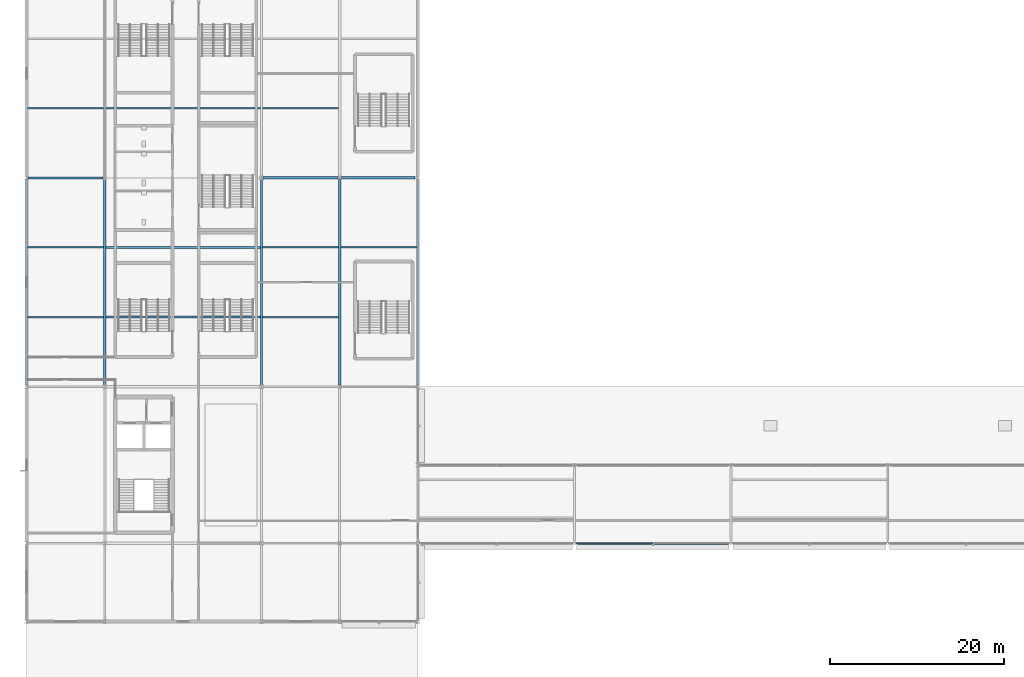
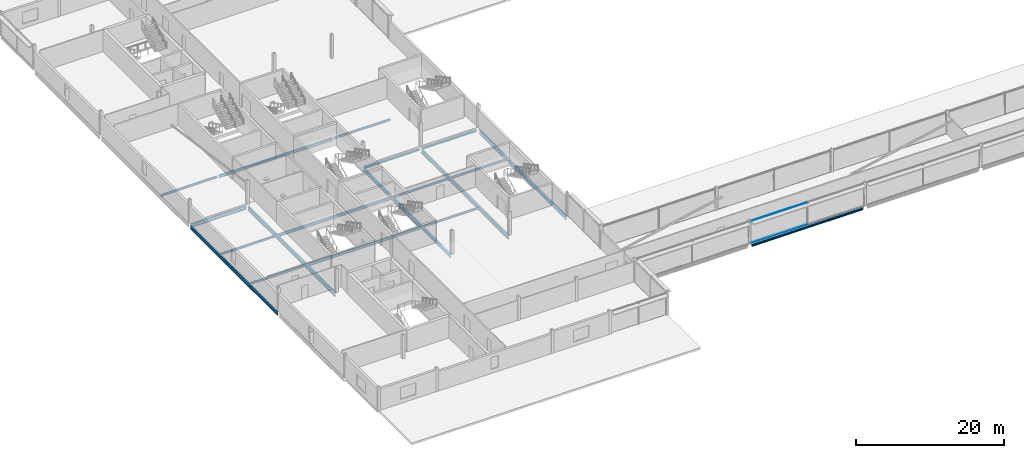
# One storey, part 21 of 105: 19 beams, 2 members, 1 element without a shape of its own.
"""IFC4 building model written with IfcOpenShell, lengths in metres."""

from ifc_helpers import new_model, si_unit, direction, frame, origin, origin_2d, place, context, subcontext, project, spatial, rectangle, i_section, extrude, material, layer, layer_set, material_profile, profile_set, type_object, element, aggregate, save


model = new_model("IFC4")

# Units and contexts
model_context = context("Model", 3, precision=1e-05, world=origin(), true_north=direction((0.0, 1.0)))
body_context = subcontext(model_context, "Body", "Model", "MODEL_VIEW")
ifc_project = project(units=[si_unit("LENGTHUNIT", "METRE"), si_unit("AREAUNIT", "SQUARE_METRE"), si_unit("VOLUMEUNIT", "CUBIC_METRE"), si_unit("PLANEANGLEUNIT", "RADIAN"), si_unit("MASSUNIT", "GRAM", prefix="KILO")], contexts=[model_context])

# Site, building, storey
site_placement = place(None, origin())
site = spatial("IfcSite", under=ifc_project, at=site_placement, CompositionType="ELEMENT")
building_placement = place(site_placement, origin())
building = spatial("IfcBuilding", under=site, at=building_placement, Name="Kisiwana Market Hall", CompositionType="ELEMENT")
storey_placement = place(building_placement, frame((0.0, 0.0, 21.60009765625)))
storey = spatial("IfcBuildingStorey", under=building, at=storey_placement, Name="L04", CompositionType="ELEMENT", Elevation=21.60009765625)

# Beams
ifc_material_1 = material(Name="Steel S355", Category="steel")
ifc_material_profile_1 = material_profile(ifc_material_1, i_section(OverallWidth=0.22900390625, OverallDepth=0.6123046875, WebThickness=0.011962890625, FlangeThickness=0.01953125, at=origin_2d()), Name="UB 610x229x125")
ifc_profile_set_1 = profile_set([ifc_material_profile_1], Name="Steel S355")
beam_type_1 = type_object("IfcBeamType", Name="BM-GIRD-UB610H", PredefinedType="BEAM", material=ifc_profile_set_1)
for number, where, z_axis, x_axis, name in (
    (1, (0.0, 36.2041015625, -0.55126953125), (0.0, 1.0, 0.0), (-1.0, 0.0, 0.0), "Floor beam B-1491"),
    (2, (27.0, 36.2041015625, -0.55126953125), (0.0, 1.0, 0.0), (-1.0, 0.0, 0.0), "Floor beam B-1495"),
):
    element("IfcBeam", number, at=place(storey_placement, frame(where, z_axis=z_axis, x_axis=x_axis)), inside=storey, type_object=beam_type_1, Name=name, PredefinedType="BEAM", context=body_context, shape_type="SweptSolid", body=[
        extrude(i_section(OverallWidth=0.22900390625, OverallDepth=0.6123046875, WebThickness=0.011962890625, FlangeThickness=0.01953125, at=origin_2d()), origin(), (0.0, 0.0, 1.0), 23.591796875),
    ])
beam_1_placement = place(storey_placement, frame((45.0, 36.21337890625, -0.55126953125), z_axis=(0.0, 1.0, 0.0), x_axis=(-1.0, 0.0, 0.0)))
element("IfcBeam", 3, at=beam_1_placement, inside=storey, type_object=beam_type_1, Name="Floor beam B-1499", PredefinedType="BEAM", context=body_context, shape_type="SweptSolid", body=[
    extrude(i_section(OverallWidth=0.22900390625, OverallDepth=0.6123046875, WebThickness=0.011962890625, FlangeThickness=0.01953125, at=origin_2d()), origin(), (0.0, 0.0, 1.0), 23.465576171875),
])
beam_2_placement = place(storey_placement, frame((0.198974609375, 60.0, -0.55126953125), z_axis=(1.0, 0.0, 0.0), x_axis=(0.0, 1.0, 0.0)))
element("IfcBeam", 4, at=beam_2_placement, inside=storey, type_object=beam_type_1, Name="Primary girder B-1339", PredefinedType="BEAM", context=body_context, shape_type="SweptSolid", body=[
    extrude(i_section(OverallWidth=0.22900390625, OverallDepth=0.6123046875, WebThickness=0.011962890625, FlangeThickness=0.01953125, at=origin_2d()), origin(), (0.0, 0.0, 1.0), 8.60205078125),
])
ifc_material_2 = material(Name="Steel S355", Category="steel")
ifc_material_profile_2 = material_profile(ifc_material_2, i_section(OverallWidth=0.253662109375, OverallDepth=0.68359375, WebThickness=0.012451171875, FlangeThickness=0.01904296875, at=origin_2d()), Name="UB 686x254x140")
ifc_profile_set_2 = profile_set([ifc_material_profile_2], Name="Steel S355")
beam_type_2 = type_object("IfcBeamType", Name="BM-GIRD-UB686", PredefinedType="BEAM", material=ifc_profile_set_2)
for number, where, z_axis, x_axis, name in (
    (5, (9.0, 36.2041015625, -0.5869140625), (0.0, 1.0, 0.0), (-1.0, 0.0, 0.0), "Primary girder B-1343"),
    (6, (36.0, 36.2041015625, -0.5869140625), (0.0, 1.0, 0.0), (-1.0, 0.0, 0.0), "Primary girder B-1353"),
):
    element("IfcBeam", number, at=place(storey_placement, frame(where, z_axis=z_axis, x_axis=x_axis)), inside=storey, type_object=beam_type_2, Name=name, PredefinedType="BEAM", context=body_context, shape_type="SweptSolid", body=[
        extrude(i_section(OverallWidth=0.253662109375, OverallDepth=0.68359375, WebThickness=0.012451171875, FlangeThickness=0.01904296875, at=origin_2d()), origin(), (0.0, 0.0, 1.0), 23.591796875),
    ])
ifc_material_3 = material(Name="Steel S355", Category="steel")
ifc_material_profile_3 = material_profile(ifc_material_3, i_section(OverallWidth=0.17138671875, OverallDepth=0.35498046875, WebThickness=0.00732421875, FlangeThickness=0.011474609375, at=origin_2d()), Name="UB 356x171x51")
ifc_profile_set_3 = profile_set([ifc_material_profile_3], Name="Steel S355")
beam_type_3 = type_object("IfcBeamType", Name="BM-JOIST-UB356", PredefinedType="JOIST", material=ifc_profile_set_3)
for number, where, z_axis, x_axis, name in (
    (7, (0.113525390625, 44.0, -0.422607421875), (1.0, 0.0, 0.0), (0.0, 1.0, 0.0), "Secondary floor joist B-1387"),
    (8, (27.113525390625, 44.0, -0.422607421875), (1.0, 0.0, 0.0), (0.0, 1.0, 0.0), "Secondary floor joist B-1389"),
    (9, (0.113525390625, 52.0, -0.422607421875), (1.0, 0.0, 0.0), (0.0, 1.0, 0.0), "Secondary floor joist B-1393"),
    (10, (27.113525390625, 52.0, -0.422607421875), (1.0, 0.0, 0.0), (0.0, 1.0, 0.0), "Secondary floor joist B-1395"),
    (11, (36.125732421875, 52.0, -0.422607421875), (1.0, 0.0, 0.0), (0.0, 1.0, 0.0), "Secondary floor joist B-1396"),
    (12, (0.113525390625, 68.0, -0.422607421875), (1.0, 0.0, 0.0), (0.0, 1.0, 0.0), "Secondary floor joist B-1401"),
    (13, (27.113525390625, 68.0, -0.422607421875), (1.0, 0.0, 0.0), (0.0, 1.0, 0.0), "Secondary floor joist B-1403"),
):
    element("IfcBeam", number, at=place(storey_placement, frame(where, z_axis=z_axis, x_axis=x_axis)), inside=storey, type_object=beam_type_3, Name=name, PredefinedType="JOIST", context=body_context, shape_type="SweptSolid", body=[
        extrude(i_section(OverallWidth=0.17138671875, OverallDepth=0.35498046875, WebThickness=0.00732421875, FlangeThickness=0.011474609375, at=origin_2d()), origin(), (0.0, 0.0, 1.0), 8.7607421875),
    ])
ifc_material_4 = material(Name="Steel S355", Category="steel")
ifc_material_profile_4 = material_profile(ifc_material_4, i_section(OverallWidth=0.18994140625, OverallDepth=0.453369140625, WebThickness=0.008544921875, FlangeThickness=0.0126953125, at=origin_2d()), Name="UB 457x191x67")
ifc_profile_set_4 = profile_set([ifc_material_profile_4], Name="Steel S355")
beam_type_4 = type_object("IfcBeamType", Name="BM-JOIST-UB457", PredefinedType="JOIST", material=ifc_profile_set_4)
for number, where, z_axis, x_axis, name in (
    (14, (9.125732421875, 44.0, -0.4716796875), (1.0, 0.0, 0.0), (0.0, 1.0, 0.0), "Secondary floor joist B-1388"),
    (15, (9.125732421875, 52.0, -0.4716796875), (1.0, 0.0, 0.0), (0.0, 1.0, 0.0), "Secondary floor joist B-1394"),
    (16, (9.125732421875, 68.0, -0.4716796875), (1.0, 0.0, 0.0), (0.0, 1.0, 0.0), "Secondary floor joist B-1402"),
):
    element("IfcBeam", number, at=place(storey_placement, frame(where, z_axis=z_axis, x_axis=x_axis)), inside=storey, type_object=beam_type_4, Name=name, PredefinedType="JOIST", context=body_context, shape_type="SweptSolid", body=[
        extrude(i_section(OverallWidth=0.18994140625, OverallDepth=0.453369140625, WebThickness=0.008544921875, FlangeThickness=0.0126953125, at=origin_2d()), origin(), (0.0, 0.0, 1.0), 17.7607421875),
    ])
ifc_material_5 = material(Name="Steel S355", Category="steel")
ifc_material_profile_5 = material_profile(ifc_material_5, i_section(OverallWidth=0.314453125, OverallDepth=0.33984375, WebThickness=0.01904296875, FlangeThickness=0.031494140625, at=origin_2d()), Name="UC 305x305x198")
ifc_profile_set_5 = profile_set([ifc_material_profile_5], Name="Steel S355")
beam_type_5 = type_object("IfcBeamType", Name="BM-SKYBR-CHORD", PredefinedType="BEAM", material=ifc_profile_set_5)
beam_3_placement = place(storey_placement, frame((63.321044921875, 18.0, -0.43505859375), z_axis=(1.0, 0.0, 0.0), x_axis=(0.0, 1.0, 0.0)))
element("IfcBeam", 17, at=beam_3_placement, inside=storey, type_object=beam_type_5, Name="Floor beam B-1428", PredefinedType="BEAM", context=body_context, shape_type="SweptSolid", body=[
    extrude(i_section(OverallWidth=0.314453125, OverallDepth=0.33984375, WebThickness=0.01904296875, FlangeThickness=0.031494140625, at=origin_2d()), origin(), (0.0, 0.0, 1.0), 17.35791015625),
])
beam_4_placement = place(storey_placement, frame((27.198974609375, 60.0, -0.4150390625), z_axis=(1.0, 0.0, 0.0), x_axis=(0.0, 1.0, 0.0)))
element("IfcBeam", 18, at=beam_4_placement, inside=storey, type_object=beam_type_5, Name="Floor beam B-1451", PredefinedType="BEAM", context=body_context, shape_type="SweptSolid", body=[
    extrude(i_section(OverallWidth=0.314453125, OverallDepth=0.33984375, WebThickness=0.01904296875, FlangeThickness=0.031494140625, at=origin_2d()), origin(), (0.0, 0.0, 1.0), 8.60205078125),
])
beam_5_placement = place(storey_placement, frame((36.198974609375, 60.0, -0.4150390625), z_axis=(1.0, 0.0, 0.0), x_axis=(0.0, 1.0, 0.0)))
element("IfcBeam", 19, at=beam_5_placement, inside=storey, type_object=beam_type_5, Name="Floor beam B-1337", PredefinedType="BEAM", context=body_context, shape_type="SweptSolid", body=[
    extrude(i_section(OverallWidth=0.314453125, OverallDepth=0.33984375, WebThickness=0.01904296875, FlangeThickness=0.031494140625, at=origin_2d()), origin(), (0.0, 0.0, 1.0), 8.47998046875),
])

# Curtain wall, members
ifc_material_6 = material(Name="Double-glazed solar-control low-E IGU", Category="glass")
ifc_layer = layer(ifc_material_6, 0.159912109375)
ifc_layer_set = layer_set([ifc_layer], Name="CW-ZNA-EW-8200")
curtain_wall_type = type_object("IfcCurtainWallType", Name="CW-ZNA-EW-8200", PredefinedType="USERDEFINED", material=ifc_layer_set)
curtain_wall_placement = place(storey_placement, origin())
curtain_wall = element("IfcCurtainWall", 20, at=curtain_wall_placement, inside=storey, type_object=curtain_wall_type, Name="Unitised curtain wall CW-093 (L04)", ObjectType="UNITISED CURTAIN WALL", PredefinedType="USERDEFINED")
ifc_material_7 = material(Name="Aluminium alloy 6063-T6", Category="aluminium")
ifc_material_profile_6 = material_profile(ifc_material_7, rectangle(XDim=0.1201171875, YDim=0.06005859375, at=origin_2d()), Name="ALU TRANSOM 60x120")
ifc_profile_set_6 = profile_set([ifc_material_profile_6], Name="Aluminium alloy 6063-T6")
member_type = type_object("IfcMemberType", Name="CW-TRAN-60x120", PredefinedType="USERDEFINED", material=ifc_profile_set_6)
member_1_placement = place(storey_placement, frame((63.18505859375, 18.0, 0.02978515625), z_axis=(1.0, 0.0, 0.0), x_axis=(0.0, 1.0, 0.0)))
member_1 = element("IfcMember", 21, at=member_1_placement, type_object=member_type, Name="CW-093 transom 1.1", ObjectType="TRANSOM", PredefinedType="USERDEFINED", context=body_context, shape_type="SweptSolid", body=[
    extrude(rectangle(XDim=0.1201171875, YDim=0.06005859375, at=origin_2d()), origin(), (0.0, 0.0, 1.0), 8.784912109375),
])
member_2_placement = place(storey_placement, frame((63.18505859375, 18.0, 3.554931640625), z_axis=(1.0, 0.0, 0.0), x_axis=(0.0, 1.0, 0.0)))
member_2 = element("IfcMember", 22, at=member_2_placement, type_object=member_type, Name="CW-093 transom 1.2", ObjectType="TRANSOM", PredefinedType="USERDEFINED", context=body_context, shape_type="SweptSolid", body=[
    extrude(rectangle(XDim=0.1201171875, YDim=0.06005859375, at=origin_2d()), origin(), (0.0, 0.0, 1.0), 8.784912109375),
])
aggregate(curtain_wall, [member_1, member_2])

save(model, "model.ifc")
